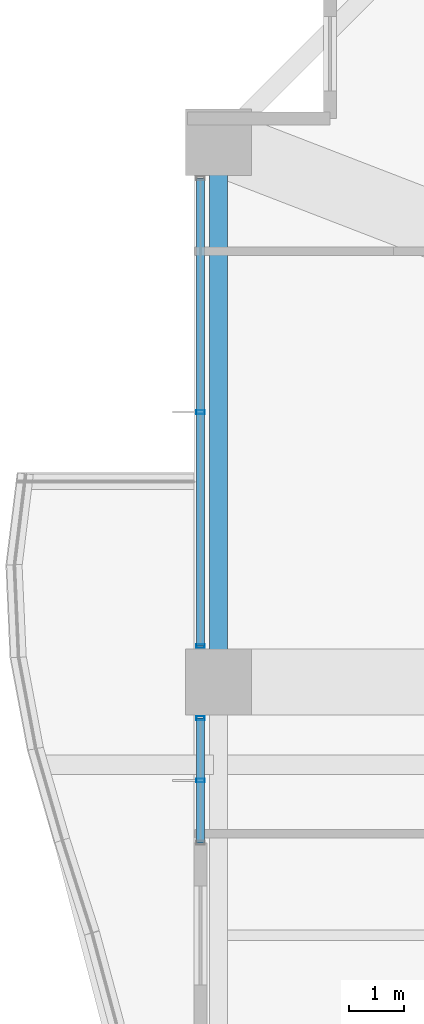
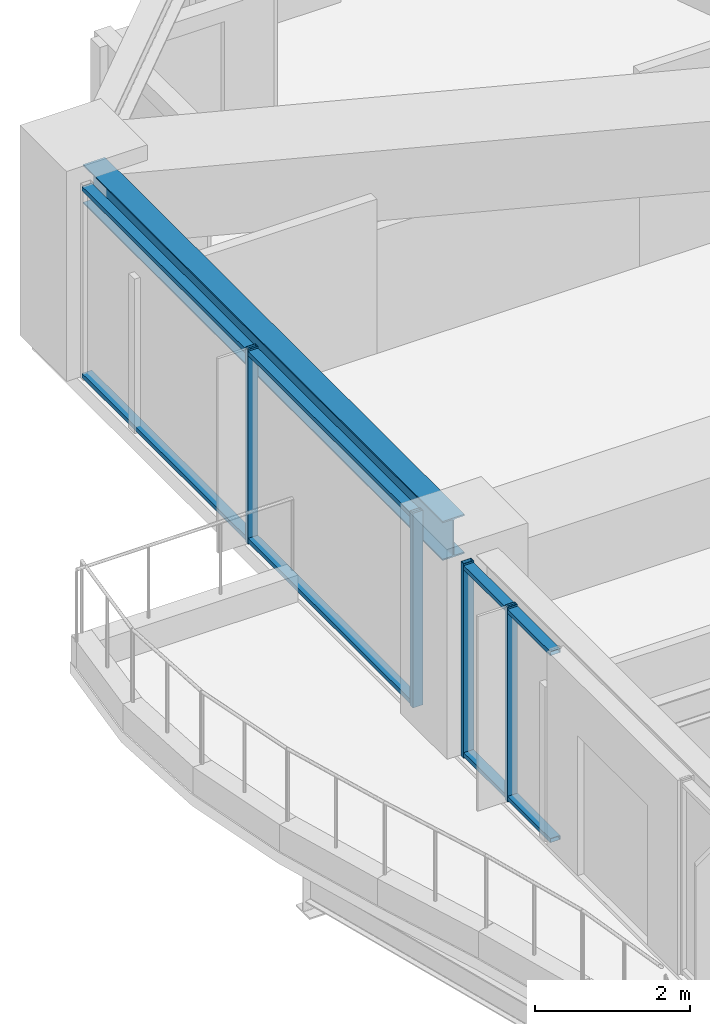
# One storey, part 9 of 39: 8 members, 1 beam, 2 elements without a shape of their own.
"""IFC4 building model written with IfcOpenShell, lengths in metres."""

from ifc_helpers import new_model, si_unit, direction, frame, origin, origin_2d, place, context, subcontext, project, spatial, hollow_rectangle, i_section, extrude, material, material_profile, profile_set, type_object, element, aggregate, save


model = new_model("IFC4")

# Units and contexts
model_context = context("Model", 3, precision=1e-05, world=origin(), true_north=direction((0.0, 1.0)))
body_context = subcontext(model_context, "Body", "Model", "MODEL_VIEW")
ifc_project = project(units=[si_unit("LENGTHUNIT", "METRE"), si_unit("AREAUNIT", "SQUARE_METRE"), si_unit("VOLUMEUNIT", "CUBIC_METRE"), si_unit("PLANEANGLEUNIT", "RADIAN"), si_unit("MASSUNIT", "GRAM", prefix="KILO")], contexts=[model_context])

# Site, building, storey
site_placement = place(None, origin())
site = spatial("IfcSite", under=ifc_project, at=site_placement, CompositionType="ELEMENT")
building_placement = place(site_placement, origin())
building = spatial("IfcBuilding", under=site, at=building_placement, Name="Kolvaren Belvedere", CompositionType="ELEMENT")
storey_placement = place(building_placement, frame((0.0, 0.0, 33.699951171875)))
storey = spatial("IfcBuildingStorey", under=building, at=storey_placement, Name="L09", CompositionType="ELEMENT", Elevation=33.699951171875)

# Beam
ifc_material_1 = material(Name="Structural steel ASTM A992 Grade 50", Category="steel")
ifc_material_profile_1 = material_profile(ifc_material_1, i_section(OverallWidth=0.324951171875, OverallDepth=0.615966796875, WebThickness=0.013916015625, FlangeThickness=0.021484375, FilletRadius=0.02001953125, at=origin_2d()), Name="W24X117")
ifc_profile_set_1 = profile_set([ifc_material_profile_1], Name="Structural steel ASTM A992 Grade 50")
beam_type = type_object("IfcBeamType", Name="BM-SPAN-W24X117", PredefinedType="SPANDREL", material=ifc_profile_set_1)
beam_placement = place(storey_placement, frame((-21.550048828125, 14.1298828125, 2.751953125), z_axis=(0.0, -1.0, 0.0), x_axis=(1.0, 0.0, 0.0)))
element("IfcBeam", 1, at=beam_placement, inside=storey, type_object=beam_type, Name="L09 Perimeter Spandrel W4-W3", PredefinedType="SPANDREL", context=body_context, shape_type="SweptSolid", body=[
    extrude(i_section(OverallWidth=0.324951171875, OverallDepth=0.615966796875, WebThickness=0.013916015625, FlangeThickness=0.021484375, FilletRadius=0.02001953125, at=origin_2d()), origin(), (0.0, 0.0, 1.0), 9.259765625),
])

# Curtain wall, members
ifc_material_2 = material(Name="Anodised pale-metal aluminium AA 6063-T6", Category="aluminium")
curtain_wall_type = type_object("IfcCurtainWallType", Name="CW-Z1-LOW", PredefinedType="NOTDEFINED", material=ifc_material_2)
curtain_wall_1_placement = place(storey_placement, origin())
curtain_wall_1 = element("IfcCurtainWall", 2, at=curtain_wall_1_placement, inside=storey, type_object=curtain_wall_type, Name="L09 Unitised Curtain Wall FCW-L09-W2-B1", PredefinedType="NOTDEFINED")
ifc_material_3 = material(Name="Anodised pale-metal aluminium AA 6063-T6", Category="aluminium")
ifc_material_profile_2 = material_profile(ifc_material_3, hollow_rectangle(XDim=0.070068359375, YDim=0.14990234375, WallThickness=0.004150390625, at=origin_2d()), Name="ALU-MUL-150X70")
ifc_profile_set_2 = profile_set([ifc_material_profile_2], Name="Anodised pale-metal aluminium AA 6063-T6")
member_type_1 = type_object("IfcMemberType", Name="CW-MUL-150", PredefinedType="MULLION", material=ifc_profile_set_2)
member_1_placement = place(storey_placement, frame((-21.8798828125, 2.8125, 0.0), z_axis=(0.0, 0.0, 1.0), x_axis=(0.0, 1.0, 0.0)))
member_1 = element("IfcMember", 3, at=member_1_placement, type_object=member_type_1, Name="FCW-L09-W2-B1 Unitised Mullion 2", PredefinedType="MULLION", context=body_context, shape_type="SweptSolid", body=[
    extrude(hollow_rectangle(XDim=0.070068359375, YDim=0.14990234375, WallThickness=0.004150390625, at=origin_2d()), origin(), (0.0, 0.0, 1.0), 3.06005859375),
])
member_2_placement = place(storey_placement, frame((-21.8798828125, 3.945068359375, 0.0), z_axis=(0.0, 0.0, 1.0), x_axis=(0.0, 1.0, 0.0)))
member_2 = element("IfcMember", 4, at=member_2_placement, type_object=member_type_1, Name="FCW-L09-W2-B1 Unitised Mullion 3", PredefinedType="MULLION", context=body_context, shape_type="SweptSolid", body=[
    extrude(hollow_rectangle(XDim=0.070068359375, YDim=0.14990234375, WallThickness=0.004150390625, at=origin_2d()), origin(), (0.0, 0.0, 1.0), 3.06005859375),
])

curtain_wall_2_placement = place(storey_placement, origin())
curtain_wall_2 = element("IfcCurtainWall", 5, at=curtain_wall_2_placement, inside=storey, type_object=curtain_wall_type, Name="L09 Unitised Curtain Wall FCW-L09-W2-B2", PredefinedType="NOTDEFINED")
member_3_placement = place(storey_placement, frame((-21.8798828125, 5.2548828125, 0.0), z_axis=(0.0, 0.0, 1.0), x_axis=(0.0, 1.0, 0.0)))
member_3 = element("IfcMember", 6, at=member_3_placement, type_object=member_type_1, Name="FCW-L09-W2-B2 Unitised Mullion 1", PredefinedType="MULLION", context=body_context, shape_type="SweptSolid", body=[
    extrude(hollow_rectangle(XDim=0.070068359375, YDim=0.14990234375, WallThickness=0.004150390625, at=origin_2d()), origin(), (0.0, 0.0, 1.0), 3.06005859375),
])
member_4_placement = place(storey_placement, frame((-21.8798828125, 9.5, 0.0), z_axis=(0.0, 0.0, 1.0), x_axis=(0.0, 1.0, 0.0)))
member_4 = element("IfcMember", 7, at=member_4_placement, type_object=member_type_1, Name="FCW-L09-W2-B2 Unitised Mullion 2", PredefinedType="MULLION", context=body_context, shape_type="SweptSolid", body=[
    extrude(hollow_rectangle(XDim=0.070068359375, YDim=0.14990234375, WallThickness=0.004150390625, at=origin_2d()), origin(), (0.0, 0.0, 1.0), 3.06005859375),
])

# Member
ifc_material_4 = material(Name="Anodised pale-metal aluminium AA 6063-T6", Category="aluminium")
ifc_material_profile_3 = material_profile(ifc_material_4, hollow_rectangle(XDim=0.06494140625, YDim=0.14990234375, WallThickness=0.00390625, at=origin_2d()), Name="ALU-TRN-150X65")
ifc_profile_set_3 = profile_set([ifc_material_profile_3], Name="Anodised pale-metal aluminium AA 6063-T6")
member_type_2 = type_object("IfcMemberType", Name="CW-TRN-150", PredefinedType="USERDEFINED", material=ifc_profile_set_3)
member_5_placement = place(storey_placement, frame((-21.8798828125, 1.679931640625, 0.06005859375), z_axis=(0.0, 1.0, 0.0), x_axis=(0.0, 0.0, 1.0)))
member_5 = element("IfcMember", 8, at=member_5_placement, type_object=member_type_2, Name="FCW-L09-W2-B1 Sill Transom", ObjectType="TRANSOM", PredefinedType="USERDEFINED", context=body_context, shape_type="SweptSolid", body=[
    extrude(hollow_rectangle(XDim=0.06494140625, YDim=0.14990234375, WallThickness=0.00390625, at=origin_2d()), origin(), (0.0, 0.0, 1.0), 2.26513671875),
])

member_6_placement = place(storey_placement, frame((-21.8798828125, 1.679931640625, 3.0), z_axis=(0.0, 1.0, 0.0), x_axis=(0.0, 0.0, 1.0)))
member_6 = element("IfcMember", 9, at=member_6_placement, type_object=member_type_2, Name="FCW-L09-W2-B1 Head Transom", ObjectType="TRANSOM", PredefinedType="USERDEFINED", context=body_context, shape_type="SweptSolid", body=[
    extrude(hollow_rectangle(XDim=0.06494140625, YDim=0.14990234375, WallThickness=0.00390625, at=origin_2d()), origin(), (0.0, 0.0, 1.0), 2.26513671875),
])

aggregate(curtain_wall_1, [member_1, member_2, member_5, member_6])

member_7_placement = place(storey_placement, frame((-21.8798828125, 5.2548828125, 0.06005859375), z_axis=(0.0, 1.0, 0.0), x_axis=(0.0, 0.0, 1.0)))
member_7 = element("IfcMember", 10, at=member_7_placement, type_object=member_type_2, Name="FCW-L09-W2-B2 Sill Transom", ObjectType="TRANSOM", PredefinedType="USERDEFINED", context=body_context, shape_type="SweptSolid", body=[
    extrude(hollow_rectangle(XDim=0.06494140625, YDim=0.14990234375, WallThickness=0.00390625, at=origin_2d()), origin(), (0.0, 0.0, 1.0), 8.490234375),
])

member_8_placement = place(storey_placement, frame((-21.8798828125, 5.2548828125, 3.0), z_axis=(0.0, 1.0, 0.0), x_axis=(0.0, 0.0, 1.0)))
member_8 = element("IfcMember", 11, at=member_8_placement, type_object=member_type_2, Name="FCW-L09-W2-B2 Head Transom", ObjectType="TRANSOM", PredefinedType="USERDEFINED", context=body_context, shape_type="SweptSolid", body=[
    extrude(hollow_rectangle(XDim=0.06494140625, YDim=0.14990234375, WallThickness=0.00390625, at=origin_2d()), origin(), (0.0, 0.0, 1.0), 8.490234375),
])

aggregate(curtain_wall_2, [member_3, member_4, member_7, member_8])

save(model, "model.ifc")
